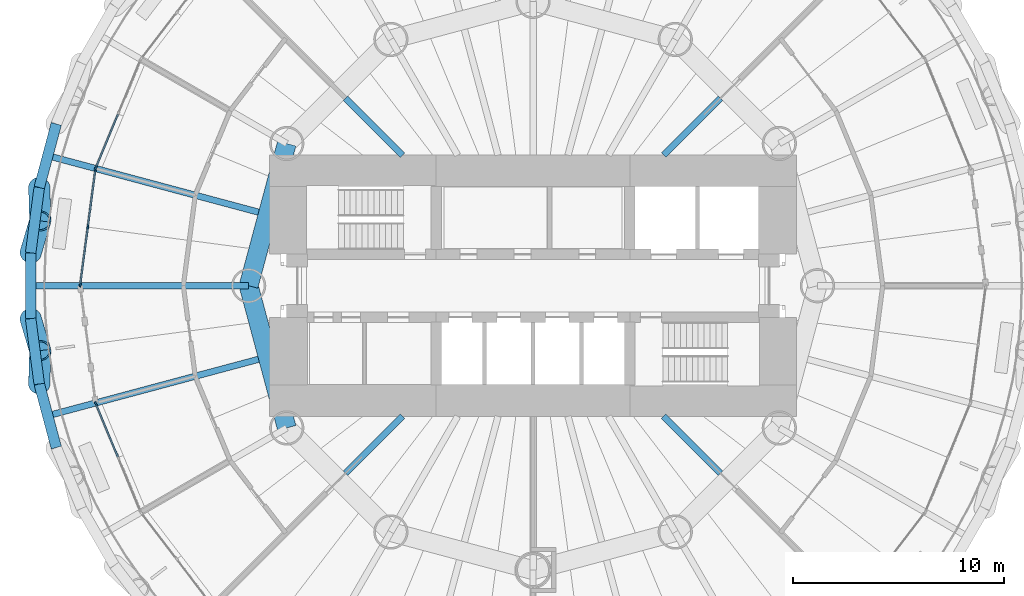
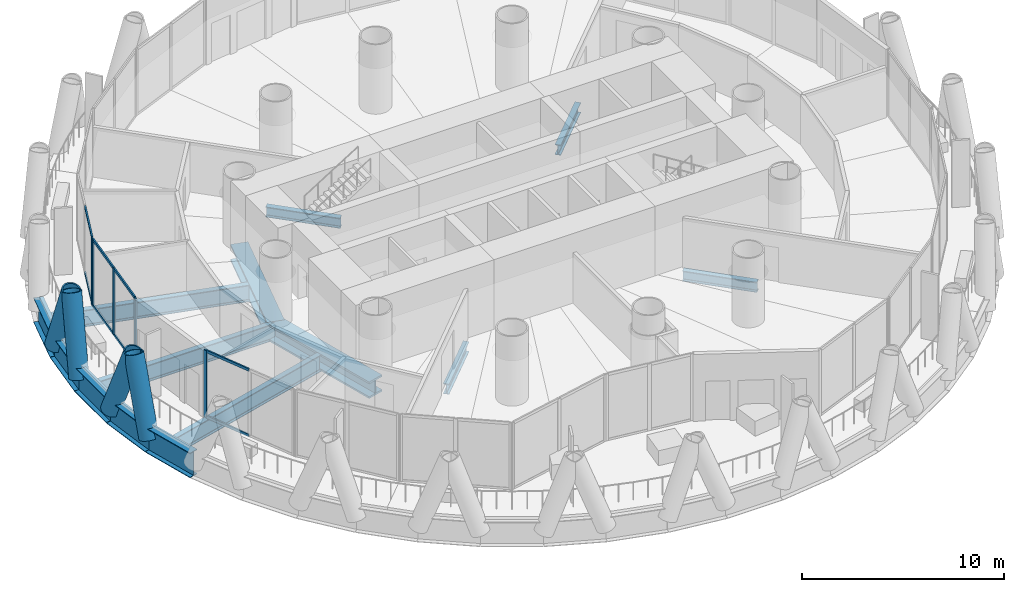
# One storey, part 3 of 15: 17 members, 14 beams, 3 elements without a shape of their own.
"""IFC4 building model written with IfcOpenShell, lengths in metres."""

import ifcopenshell
import ifcopenshell.guid

model = None  # the IFC model being written
_history = None  # IfcOwnerHistory: only IFC2X3 demands one
_inside = {}  # id of a spatial element -> (the spatial element, [elements in it])
_under = {}  # id of a project, library or spatial element -> (it, [spatial elements below it])
_declared = {}  # id of a project -> (the project, [libraries it declares])
_typed = {}  # id of a type object -> (the type object, [elements of that type])
_made_of = {}  # id of a material, layer set ... -> (it, [elements and type objects made of it])


def new_model(schema):
    """Start an empty IFC model of exactly this schema.

    Asked for "IFC4X3", IfcOpenShell would pick the latest addendum, in which some entities
    have other attributes; the version numbers below select the first issue.
    IFC2X3 requires an IfcOwnerHistory on every rooted entity: one is made here for all.
    """
    global model, _history
    if schema == "IFC4X3":
        model = ifcopenshell.file(schema_version=(4, 3, 0, 0))
    else:
        model = ifcopenshell.file(schema=schema)
    _inside.clear()
    _under.clear()
    _declared.clear()
    _typed.clear()
    _made_of.clear()
    _history = None
    if model.schema == "IFC2X3":
        org = make("IfcOrganization", Name="unknown")
        user = make(
            "IfcPersonAndOrganization",
            ThePerson=make("IfcPerson", FamilyName="unknown"),
            TheOrganization=org,
        )
        app = make(
            "IfcApplication",
            ApplicationDeveloper=org,
            Version="unknown",
            ApplicationFullName="unknown",
            ApplicationIdentifier="unknown",
        )
        _history = make(
            "IfcOwnerHistory",
            OwningUser=user,
            OwningApplication=app,
            ChangeAction="ADDED",
            CreationDate=0,
        )
    return model


def make(cls, **values):
    """One entity of the class cls with the attributes given. An attribute that is None is left unset."""
    return model.create_entity(
        cls, **{name: value for name, value in values.items() if value is not None}
    )


def rooted(cls, **values):
    """An entity with a GlobalId (a new one), such as an element, a storey or a relation."""
    return make(cls, GlobalId=ifcopenshell.guid.new(), OwnerHistory=_history, **values)


def si_unit(unit_type, name, prefix=None):
    """IfcSIUnit, for example si_unit("LENGTHUNIT", "METRE", prefix="MILLI")."""
    return make("IfcSIUnit", UnitType=unit_type, Prefix=prefix, Name=name)


def assignment(units):
    """IfcUnitAssignment: the units of a project."""
    return None if units is None else make("IfcUnitAssignment", Units=units)


def point(xyz):
    """IfcCartesianPoint."""
    return None if xyz is None else make("IfcCartesianPoint", Coordinates=xyz)


def direction(xyz):
    """IfcDirection."""
    return None if xyz is None else make("IfcDirection", DirectionRatios=xyz)


def frame(location, z_axis=None, x_axis=None):
    """IfcAxis2Placement3D, a coordinate frame: its origin and axes. An axis left out is left unset."""
    return make(
        "IfcAxis2Placement3D",
        Location=point(location),
        Axis=direction(z_axis),
        RefDirection=direction(x_axis),
    )


def frame_2d(location, x_axis=None):
    """IfcAxis2Placement2D, a coordinate frame in the plane: its origin and x axis."""
    return make(
        "IfcAxis2Placement2D", Location=point(location), RefDirection=direction(x_axis)
    )


def origin():
    """The frame at (0, 0, 0) with its axes left unset."""
    return frame((0.0, 0.0, 0.0))


def origin_2d():
    """The frame at (0, 0) in the plane with its x axis left unset."""
    return frame_2d((0.0, 0.0))


def place(relative_to, where):
    """IfcLocalPlacement: puts the frame where relative to a parent placement (None: the world)."""
    return make(
        "IfcLocalPlacement", PlacementRelTo=relative_to, RelativePlacement=where
    )


def context(
    kind, dimensions, precision=None, world=None, true_north=None, identifier=None
):
    """IfcGeometricRepresentationContext, for example the 3D "Model" context."""
    return make(
        "IfcGeometricRepresentationContext",
        ContextIdentifier=identifier,
        ContextType=kind,
        CoordinateSpaceDimension=dimensions,
        Precision=precision,
        WorldCoordinateSystem=world,
        TrueNorth=true_north,
    )


def subcontext(parent, identifier, kind, view, scale=None):
    """IfcGeometricRepresentationSubContext, for example "Body" below "Model"."""
    return make(
        "IfcGeometricRepresentationSubContext",
        ContextIdentifier=identifier,
        ContextType=kind,
        ParentContext=parent,
        TargetScale=scale,
        TargetView=view,
    )


def project(units=None, contexts=None):
    """IfcProject with its units and contexts."""
    return rooted(
        "IfcProject",
        Name="project",
        RepresentationContexts=contexts,
        UnitsInContext=assignment(units),
    )


def spatial(cls, under=None, at=None, **own):
    """A site, building, storey or space (cls), placed at a placement, below another one or the project."""
    s = rooted(cls, ObjectPlacement=at, **own)
    if under is not None:
        _under.setdefault(under.id(), (under, []))[1].append(s)
    return s


def profile(cls, at=None, kind="AREA", **sizes):
    """A parametric profile (cls). Its sizes go by their IFC names, for example OverallWidth=200.0."""
    return make(cls, ProfileType=kind, Position=at, **sizes)


def rectangle(**sizes):
    """IfcRectangleProfileDef."""
    return profile("IfcRectangleProfileDef", **sizes)


def hollow_circle(**sizes):
    """IfcCircleHollowProfileDef."""
    return profile("IfcCircleHollowProfileDef", **sizes)


def i_section(**sizes):
    """IfcIShapeProfileDef."""
    return profile("IfcIShapeProfileDef", **sizes)


def extrude(swept, where, along, depth):
    """IfcExtrudedAreaSolid: the profile swept, set in the frame where, extruded along a direction by depth."""
    return make(
        "IfcExtrudedAreaSolid",
        SweptArea=swept,
        Position=where,
        ExtrudedDirection=direction(along),
        Depth=depth,
    )


def shape(context_of_items, identifier, shape_type, items):
    """IfcShapeRepresentation: the items that make up one representation, for example the "Body"."""
    return make(
        "IfcShapeRepresentation",
        ContextOfItems=context_of_items,
        RepresentationIdentifier=identifier,
        RepresentationType=shape_type,
        Items=items,
    )


def material(Name=None, Category=None):
    """IfcMaterial."""
    return make("IfcMaterial", Name=Name, Category=Category)


def material_profile(
    of_material, cross_section, Name=None, Category=None, Priority=None
):
    """IfcMaterialProfile: a cross section and its material."""
    return make(
        "IfcMaterialProfile",
        Name=Name,
        Material=of_material,
        Profile=cross_section,
        Priority=Priority,
        Category=Category,
    )


def profile_set(profiles, Name=None, composite=None):
    """IfcMaterialProfileSet."""
    return make(
        "IfcMaterialProfileSet",
        Name=Name,
        MaterialProfiles=profiles,
        CompositeProfile=composite,
    )


def made_of(thing, what):
    """Note that an element or type object is made of a material, layer set ...; save() writes the relation."""
    if what is not None:
        _made_of.setdefault(what.id(), (what, []))[1].append(thing)
    return thing


def type_object(cls, material=None, **own):
    """A type object (cls), such as IfcWallType, which elements share."""
    return made_of(rooted(cls, **own), material)


def element(
    cls,
    number,
    at=None,
    inside=None,
    cuts=None,
    type_object=None,
    material=None,
    context=None,
    identifier="Body",
    shape_type=None,
    held_by="IfcProductDefinitionShape",
    body=None,
    shapes=None,
    **own,
):
    """One element of the class cls, such as IfcWall. Its Tag is "e" and its number.

    at: its placement. inside: the storey or other place that contains it. cuts: it is an
    opening in that element (IfcRelVoidsElement). A single representation is given by context,
    identifier, shape_type and body (its items); several are given by shapes. held_by: the class
    of the entity that holds the representations. save() writes the other relations.
    """
    e = rooted(cls, Tag="e%d" % number, ObjectPlacement=at, **own)
    if body is not None:
        shapes = [shape(context, identifier, shape_type, body)]
    if shapes is not None:
        e.Representation = make(held_by, Representations=shapes)
    if inside is not None:
        _inside.setdefault(inside.id(), (inside, []))[1].append(e)
    if cuts is not None:
        rooted(
            "IfcRelVoidsElement", RelatingBuildingElement=cuts, RelatedOpeningElement=e
        )
    if type_object is not None:
        _typed.setdefault(type_object.id(), (type_object, []))[1].append(e)
    return made_of(e, material)


def aggregate(whole, parts):
    """IfcRelAggregates: a whole, such as a stair, and the parts it consists of."""
    return rooted("IfcRelAggregates", RelatingObject=whole, RelatedObjects=parts)


def save(model, path):
    """Write the relations noted so far, then the file.

    IfcRelAggregates (storeys below a building ...), IfcRelContainedInSpatialStructure (elements
    in a storey), IfcRelDefinesByType, IfcRelAssociatesMaterial and IfcRelDeclares: one each for
    every whole, place, type object, material and project.
    """
    for whole, parts in _under.values():
        aggregate(whole, parts)
    for where, things in _inside.values():
        rooted(
            "IfcRelContainedInSpatialStructure",
            RelatedElements=things,
            RelatingStructure=where,
        )
    for kind, things in _typed.values():
        rooted("IfcRelDefinesByType", RelatedObjects=things, RelatingType=kind)
    for what, things in _made_of.values():
        rooted("IfcRelAssociatesMaterial", RelatedObjects=things, RelatingMaterial=what)
    for by, libraries in _declared.values():
        rooted("IfcRelDeclares", RelatingContext=by, RelatedDefinitions=libraries)
    model.write(path)


model = new_model("IFC4")

# Units and contexts
model_context = context("Model", 3, precision=1e-05, world=origin(), true_north=direction((0.0, 1.0)))
body_context = subcontext(model_context, "Body", "Model", "MODEL_VIEW")
ifc_project = project(units=[si_unit("LENGTHUNIT", "METRE"), si_unit("AREAUNIT", "SQUARE_METRE"), si_unit("VOLUMEUNIT", "CUBIC_METRE"), si_unit("PLANEANGLEUNIT", "RADIAN"), si_unit("MASSUNIT", "GRAM", prefix="KILO")], contexts=[model_context])

# Site, building, storey
site_placement = place(None, origin())
site = spatial("IfcSite", under=ifc_project, at=site_placement, CompositionType="ELEMENT")
building_placement = place(site_placement, origin())
building = spatial("IfcBuilding", under=site, at=building_placement, Name="Qaws Media Tower", CompositionType="ELEMENT")
storey_placement = place(building_placement, frame((0.0, 0.0, 198.199951171875)))
storey = spatial("IfcBuildingStorey", under=building, at=storey_placement, Name="L45", CompositionType="ELEMENT", Elevation=198.199951171875)

# Curtain wall, member
ifc_material_1 = material(Name="Aluminium and clear glass", Category="aluminium")
curtain_wall_type = type_object("IfcCurtainWallType", Name="Unitised curtain wall CW-C", PredefinedType="NOTDEFINED", material=ifc_material_1)
curtain_wall_1_placement = place(storey_placement, origin())
curtain_wall_1 = element("IfcCurtainWall", 1, at=curtain_wall_1_placement, inside=storey, type_object=curtain_wall_type, Name="CWC curtain wall L45-11", PredefinedType="NOTDEFINED")
ifc_material_2 = material(Name="Aluminium mullion", Category="aluminium")
ifc_material_profile_1 = material_profile(ifc_material_2, rectangle(XDim=0.080078125, YDim=0.199951171875, at=origin_2d()), Name="80x200")
ifc_profile_set_1 = profile_set([ifc_material_profile_1], Name="Aluminium mullion")
member_type_1 = type_object("IfcMemberType", Name="Curtain wall mullion 80x200", PredefinedType="MULLION", material=ifc_profile_set_1)
member_1_placement = place(storey_placement, frame((39.247802734375, 55.6015625, 0.0), z_axis=(0.0, 0.0, 1.0), x_axis=(0.923879550051, -0.382683390022, 0.0)))
member_1 = element("IfcMember", 2, at=member_1_placement, type_object=member_type_1, Name="CWC mullion 3", PredefinedType="MULLION", context=body_context, shape_type="SweptSolid", body=[
    extrude(rectangle(XDim=0.080078125, YDim=0.199951171875, at=origin_2d()), origin(), (0.0, 0.0, 1.0), 4.0400390625),
])

# Curtain wall, members
curtain_wall_2_placement = place(storey_placement, origin())
curtain_wall_2 = element("IfcCurtainWall", 3, at=curtain_wall_2_placement, inside=storey, type_object=curtain_wall_type, Name="CWC curtain wall L45-12", PredefinedType="NOTDEFINED")
member_2_placement = place(storey_placement, frame((39.227294921875, 55.52490234375, 0.0), z_axis=(0.0, 0.0, 1.0), x_axis=(0.991444853833, -0.130526249496, 0.0)))
member_2 = element("IfcMember", 4, at=member_2_placement, type_object=member_type_1, Name="CWC mullion 1", PredefinedType="MULLION", context=body_context, shape_type="SweptSolid", body=[
    extrude(rectangle(XDim=0.080078125, YDim=0.199951171875, at=origin_2d()), origin(), (0.0, 0.0, 1.0), 4.0400390625),
])
member_3_placement = place(storey_placement, frame((38.8662109375, 52.7822265625, 0.0), z_axis=(0.0, 0.0, 1.0), x_axis=(0.991444853833, -0.130526249496, 0.0)))
member_3 = element("IfcMember", 5, at=member_3_placement, type_object=member_type_1, Name="CWC mullion 2", PredefinedType="MULLION", context=body_context, shape_type="SweptSolid", body=[
    extrude(rectangle(XDim=0.080078125, YDim=0.199951171875, at=origin_2d()), origin(), (0.0, 0.0, 1.0), 4.0400390625),
])
member_4_placement = place(storey_placement, frame((38.505126953125, 50.03955078125, 0.0), z_axis=(0.0, 0.0, 1.0), x_axis=(0.991444853833, -0.130526249496, 0.0)))
member_4 = element("IfcMember", 6, at=member_4_placement, type_object=member_type_1, Name="CWC mullion 3", PredefinedType="MULLION", context=body_context, shape_type="SweptSolid", body=[
    extrude(rectangle(XDim=0.080078125, YDim=0.199951171875, at=origin_2d()), origin(), (0.0, 0.0, 1.0), 4.0400390625),
])

# Curtain wall, member
curtain_wall_3_placement = place(storey_placement, origin())
curtain_wall_3 = element("IfcCurtainWall", 7, at=curtain_wall_3_placement, inside=storey, type_object=curtain_wall_type, Name="CWC curtain wall L45-14", PredefinedType="NOTDEFINED")
member_5_placement = place(storey_placement, frame((39.247802734375, 44.3984375, 0.0), z_axis=(0.0, 0.0, 1.0), x_axis=(0.923879550051, 0.382683390022, 0.0)))
member_5 = element("IfcMember", 8, at=member_5_placement, type_object=member_type_1, Name="CWC mullion 1", PredefinedType="MULLION", context=body_context, shape_type="SweptSolid", body=[
    extrude(rectangle(XDim=0.080078125, YDim=0.199951171875, at=origin_2d()), origin(), (0.0, 0.0, 1.0), 4.0400390625),
])

# Member
ifc_material_3 = material(Name="Aluminium transom", Category="aluminium")
ifc_material_profile_2 = material_profile(ifc_material_3, rectangle(XDim=0.080078125, YDim=0.159912109375, at=origin_2d()), Name="80x160")
ifc_profile_set_2 = profile_set([ifc_material_profile_2], Name="Aluminium transom")
member_type_2 = type_object("IfcMemberType", Name="Curtain wall transom 80x160", PredefinedType="USERDEFINED", material=ifc_profile_set_2)
member_6_placement = place(storey_placement, frame((40.291259765625, 58.120361328125, 0.0400390625), z_axis=(-0.382691571386, -0.923876161176, 0.0), x_axis=(0.923876161176, -0.382691571386, 0.0)))
member_6 = element("IfcMember", 9, at=member_6_placement, type_object=member_type_2, Name="CWC transom 2.1", ObjectType="TRANSOM", PredefinedType="USERDEFINED", context=body_context, shape_type="SweptSolid", body=[
    extrude(rectangle(XDim=0.080078125, YDim=0.159912109375, at=origin_2d()), origin(), (0.0, 0.0, 1.0), 2.6865234375),
])

member_7_placement = place(storey_placement, frame((40.291259765625, 58.120361328125, 4.0), z_axis=(-0.382691571386, -0.923876161176, 0.0), x_axis=(0.923876161176, -0.382691571386, 0.0)))
member_7 = element("IfcMember", 10, at=member_7_placement, type_object=member_type_2, Name="CWC transom 2.2", ObjectType="TRANSOM", PredefinedType="USERDEFINED", context=body_context, shape_type="SweptSolid", body=[
    extrude(rectangle(XDim=0.080078125, YDim=0.159912109375, at=origin_2d()), origin(), (0.0, 0.0, 1.0), 2.6865234375),
])

aggregate(curtain_wall_1, [member_1, member_6, member_7])

member_8_placement = place(storey_placement, frame((39.22216796875, 55.4853515625, 0.0400390625), z_axis=(-0.130508584607, -0.991447179301, 0.0), x_axis=(0.991447179301, -0.130508584607, 0.0)))
member_8 = element("IfcMember", 11, at=member_8_placement, type_object=member_type_2, Name="CWC transom 1.1", ObjectType="TRANSOM", PredefinedType="USERDEFINED", context=body_context, shape_type="SweptSolid", body=[
    extrude(rectangle(XDim=0.080078125, YDim=0.159912109375, at=origin_2d()), origin(), (0.0, 0.0, 1.0), 2.686279296875),
])

member_9_placement = place(storey_placement, frame((39.22216796875, 55.4853515625, 4.0), z_axis=(-0.130508584607, -0.991447179301, 0.0), x_axis=(0.991447179301, -0.130508584607, 0.0)))
member_9 = element("IfcMember", 12, at=member_9_placement, type_object=member_type_2, Name="CWC transom 1.2", ObjectType="TRANSOM", PredefinedType="USERDEFINED", context=body_context, shape_type="SweptSolid", body=[
    extrude(rectangle(XDim=0.080078125, YDim=0.159912109375, at=origin_2d()), origin(), (0.0, 0.0, 1.0), 2.686279296875),
])

member_10_placement = place(storey_placement, frame((38.861083984375, 52.74267578125, 0.0400390625), z_axis=(-0.130508584607, -0.991447179301, 0.0), x_axis=(0.991447179301, -0.130508584607, 0.0)))
member_10 = element("IfcMember", 13, at=member_10_placement, type_object=member_type_2, Name="CWC transom 2.1", ObjectType="TRANSOM", PredefinedType="USERDEFINED", context=body_context, shape_type="SweptSolid", body=[
    extrude(rectangle(XDim=0.080078125, YDim=0.159912109375, at=origin_2d()), origin(), (0.0, 0.0, 1.0), 2.686279296875),
])

member_11_placement = place(storey_placement, frame((38.861083984375, 52.74267578125, 4.0), z_axis=(-0.130508584607, -0.991447179301, 0.0), x_axis=(0.991447179301, -0.130508584607, 0.0)))
member_11 = element("IfcMember", 14, at=member_11_placement, type_object=member_type_2, Name="CWC transom 2.2", ObjectType="TRANSOM", PredefinedType="USERDEFINED", context=body_context, shape_type="SweptSolid", body=[
    extrude(rectangle(XDim=0.080078125, YDim=0.159912109375, at=origin_2d()), origin(), (0.0, 0.0, 1.0), 2.686279296875),
])

aggregate(curtain_wall_2, [member_2, member_3, member_4, member_8, member_9, member_10, member_11])

member_12_placement = place(storey_placement, frame((39.26318359375, 44.361572265625, 0.0400390625), z_axis=(0.382691571386, -0.923876161176, 0.0), x_axis=(0.923876161176, 0.382691571386, 0.0)))
member_12 = element("IfcMember", 15, at=member_12_placement, type_object=member_type_2, Name="CWC transom 1.1", ObjectType="TRANSOM", PredefinedType="USERDEFINED", context=body_context, shape_type="SweptSolid", body=[
    extrude(rectangle(XDim=0.080078125, YDim=0.159912109375, at=origin_2d()), origin(), (0.0, 0.0, 1.0), 2.6865234375),
])

member_13_placement = place(storey_placement, frame((39.26318359375, 44.361572265625, 4.0), z_axis=(0.382691571386, -0.923876161176, 0.0), x_axis=(0.923876161176, 0.382691571386, 0.0)))
member_13 = element("IfcMember", 16, at=member_13_placement, type_object=member_type_2, Name="CWC transom 1.2", ObjectType="TRANSOM", PredefinedType="USERDEFINED", context=body_context, shape_type="SweptSolid", body=[
    extrude(rectangle(XDim=0.080078125, YDim=0.159912109375, at=origin_2d()), origin(), (0.0, 0.0, 1.0), 2.6865234375),
])

aggregate(curtain_wall_3, [member_5, member_12, member_13])

# Members
ifc_material_4 = material(Name="Steel S460", Category="steel")
ifc_material_profile_3 = material_profile(ifc_material_4, hollow_circle(Radius=0.508056640625, WallThickness=0.070068359375, at=origin_2d()), Name="CHS 1016x70")
ifc_profile_set_3 = profile_set([ifc_material_profile_3], Name="Steel S460")
member_type_3 = type_object("IfcMemberType", Name="Diagrid member CHS 1016x70", PredefinedType="USERDEFINED", material=ifc_profile_set_3)
for number, where, z_axis, x_axis, name in (
    (17, (36.559326171875, 54.66259765625, -0.909912109375), (0.009464676487, -0.352532001786, 0.935751894263), (0.999639794984, 0.026838038008, 0.0), "DG3 diagrid L45 A12"),
    (18, (36.151123046875, 48.436767578125, -0.909912109375), (0.100414403479, -0.338014682134, 0.935768679876), (0.958595556334, 0.284771064852, 0.0), "DG3 diagrid L45 A13"),
    (19, (36.151123046875, 51.563232421875, -0.909912109375), (0.100414403479, 0.338014682134, 0.935768679876), (-0.958595556334, 0.284771064852, 0.0), "DG3 diagrid L45 B13"),
    (20, (36.559326171875, 45.33740234375, -0.909912109375), (0.009464676487, 0.352532001786, 0.935751894263), (-0.999639794984, 0.026838038008, 0.0), "DG3 diagrid L45 B14"),
):
    element("IfcMember", number, at=place(storey_placement, frame(where, z_axis=z_axis, x_axis=x_axis)), inside=storey, type_object=member_type_3, Name=name, ObjectType="DIAGRID", PredefinedType="USERDEFINED", context=body_context, shape_type="SweptSolid", body=[
        extrude(hollow_circle(Radius=0.508056640625, WallThickness=0.070068359375, at=origin_2d()), origin(), (0.0, 0.0, 1.0), 4.48828125),
    ])

# Beams
ifc_material_5 = material(Name="Steel S460", Category="steel")
ifc_material_profile_4 = material_profile(ifc_material_5, i_section(OverallWidth=0.5, OverallDepth=1.5, WebThickness=0.02001953125, FlangeThickness=0.0400390625, at=origin_2d()), Name="PG 1500x500")
ifc_profile_set_4 = profile_set([ifc_material_profile_4], Name="Steel S460")
beam_type_1 = type_object("IfcBeamType", Name="Edge ring beam PG 1500x500", PredefinedType="BEAM", material=ifc_profile_set_4)
for number, where, z_axis, x_axis, name in (
    (21, (37.368408203125, 57.682373046875, -0.909912109375), (-0.258799841546, -0.965930971662, 0.0), (0.965930971662, -0.258799841546, 0.0), "RB4 edge ring beam L45-22"),
    (22, (36.559326171875, 54.66259765625, -0.909912109375), (-0.130577743855, -0.991438073109, 0.0), (0.991438073109, -0.130577743855, 0.0), "RB4 edge ring beam L45-23"),
):
    element("IfcBeam", number, at=place(storey_placement, frame(where, z_axis=z_axis, x_axis=x_axis)), inside=storey, type_object=beam_type_1, Name=name, PredefinedType="BEAM", context=body_context, shape_type="SweptSolid", body=[
        extrude(i_section(OverallWidth=0.5, OverallDepth=1.5, WebThickness=0.02001953125, FlangeThickness=0.0400390625, at=origin_2d()), origin(), (0.0, 0.0, 1.0), 3.126220703125),
    ])
beam_1_placement = place(storey_placement, frame((36.151123046875, 51.563232421875, -0.909912109375), z_axis=(0.0, -1.0, 0.0), x_axis=(1.0, 0.0, 0.0)))
element("IfcBeam", 23, at=beam_1_placement, inside=storey, type_object=beam_type_1, Name="RB4 edge ring beam L45-24", PredefinedType="BEAM", context=body_context, shape_type="SweptSolid", body=[
    extrude(i_section(OverallWidth=0.5, OverallDepth=1.5, WebThickness=0.02001953125, FlangeThickness=0.0400390625, at=origin_2d()), origin(), (0.0, 0.0, 1.0), 3.12646484375),
])
for number, where, z_axis, x_axis, name in (
    (24, (36.151123046875, 48.436767578125, -0.909912109375), (0.130577743855, -0.991438073109, 0.0), (0.991438073109, 0.130577743855, 0.0), "RB4 edge ring beam L45-25"),
    (25, (36.559326171875, 45.33740234375, -0.909912109375), (0.258799841546, -0.965930971662, 0.0), (0.965930971662, 0.258799841546, 0.0), "RB4 edge ring beam L45-26"),
):
    element("IfcBeam", number, at=place(storey_placement, frame(where, z_axis=z_axis, x_axis=x_axis)), inside=storey, type_object=beam_type_1, Name=name, PredefinedType="BEAM", context=body_context, shape_type="SweptSolid", body=[
        extrude(i_section(OverallWidth=0.5, OverallDepth=1.5, WebThickness=0.02001953125, FlangeThickness=0.0400390625, at=origin_2d()), origin(), (0.0, 0.0, 1.0), 3.126220703125),
    ])
ifc_material_6 = material(Name="Steel S460", Category="steel")
ifc_material_profile_5 = material_profile(ifc_material_6, i_section(OverallWidth=0.89990234375, OverallDepth=1.0, WebThickness=0.044921875, FlangeThickness=0.110107421875, at=origin_2d()), Name="PG 1000x900")
ifc_profile_set_5 = profile_set([ifc_material_profile_5], Name="Steel S460")
beam_type_2 = type_object("IfcBeamType", Name="Inner ring girder PG 1000x900", PredefinedType="BEAM", material=ifc_profile_set_5)
for number, where, z_axis, x_axis, name in (
    (26, (48.30859375, 56.75, -0.659912109375), (-0.258810593767, -0.965928090778, 0.0), (0.965928090778, -0.258810593767, 0.0), "B3 inner ring beam L45 I06-I07"),
    (27, (46.5, 50.0, -0.659912109375), (0.258810593767, -0.965928090778, 0.0), (0.965928090778, 0.258810593767, 0.0), "B3 inner ring beam L45 I07-I08"),
):
    element("IfcBeam", number, at=place(storey_placement, frame(where, z_axis=z_axis, x_axis=x_axis)), inside=storey, type_object=beam_type_2, Name=name, PredefinedType="BEAM", context=body_context, shape_type="SweptSolid", body=[
        extrude(i_section(OverallWidth=0.89990234375, OverallDepth=1.0, WebThickness=0.044921875, FlangeThickness=0.110107421875, at=origin_2d()), origin(), (0.0, 0.0, 1.0), 6.988037109375),
    ])
ifc_material_7 = material(Name="Steel S355", Category="steel")
ifc_material_profile_6 = material_profile(ifc_material_7, i_section(OverallWidth=0.302001953125, OverallDepth=1.008056640625, WebThickness=0.02099609375, FlangeThickness=0.0400390625, FilletRadius=0.030029296875, at=origin_2d()), Name="HE 1000 M")
ifc_profile_set_6 = profile_set([ifc_material_profile_6], Name="Steel S355")
beam_type_3 = type_object("IfcBeamType", Name="Radial beam HE 1000 M", PredefinedType="BEAM", material=ifc_profile_set_6)
beam_2_placement = place(storey_placement, frame((46.9697265625, 53.491455078125, -0.6640625), z_axis=(-0.965923644434, 0.25882718776, 0.0), x_axis=(-0.25882718776, -0.965923644434, 0.0)))
element("IfcBeam", 28, at=beam_2_placement, inside=storey, type_object=beam_type_3, Name="B1 radial beam L45 12", PredefinedType="BEAM", context=body_context, shape_type="SweptSolid", body=[
    extrude(i_section(OverallWidth=0.302001953125, OverallDepth=1.008056640625, WebThickness=0.02099609375, FlangeThickness=0.0400390625, FilletRadius=0.030029296875, at=origin_2d()), origin(), (0.0, 0.0, 1.0), 10.35888671875),
])
beam_3_placement = place(storey_placement, frame((46.5, 50.0, -0.6640625), z_axis=(-1.0, 0.0, 0.0), x_axis=(0.0, -1.0, 0.0)))
element("IfcBeam", 29, at=beam_3_placement, inside=storey, type_object=beam_type_3, Name="B1 radial beam L45 13", PredefinedType="BEAM", context=body_context, shape_type="SweptSolid", body=[
    extrude(i_section(OverallWidth=0.302001953125, OverallDepth=1.008056640625, WebThickness=0.02099609375, FlangeThickness=0.0400390625, FilletRadius=0.030029296875, at=origin_2d()), origin(), (0.0, 0.0, 1.0), 10.348876953125),
])
beam_4_placement = place(storey_placement, frame((46.9697265625, 46.508544921875, -0.6640625), z_axis=(-0.965923644434, -0.25882718776, 0.0), x_axis=(0.25882718776, -0.965923644434, 0.0)))
element("IfcBeam", 30, at=beam_4_placement, inside=storey, type_object=beam_type_3, Name="B1 radial beam L45 14", PredefinedType="BEAM", context=body_context, shape_type="SweptSolid", body=[
    extrude(i_section(OverallWidth=0.302001953125, OverallDepth=1.008056640625, WebThickness=0.02099609375, FlangeThickness=0.0400390625, FilletRadius=0.030029296875, at=origin_2d()), origin(), (0.0, 0.0, 1.0), 10.35888671875),
])
ifc_material_8 = material(Name="Steel S355", Category="steel")
ifc_material_profile_7 = material_profile(ifc_material_8, i_section(OverallWidth=0.304931640625, OverallDepth=0.6201171875, WebThickness=0.02099609375, FlangeThickness=0.0400390625, FilletRadius=0.027099609375, at=origin_2d()), Name="HE 600 M")
ifc_profile_set_7 = profile_set([ifc_material_profile_7], Name="Steel S355")
beam_type_4 = type_object("IfcBeamType", Name="Radial beam HE 600 M, core side", PredefinedType="BEAM", material=ifc_profile_set_7)
for number, where, z_axis, x_axis, name in (
    (31, (66.199951171875, 56.199951171875, -0.469970703125), (0.707106781187, 0.707106781187, 0.0), (-0.707106781187, 0.707106781187, 0.0), "B2 radial beam L45 04"),
    (32, (53.800048828125, 56.199951171875, -0.469970703125), (-0.707106781187, 0.707106781187, 0.0), (-0.707106781187, -0.707106781187, 0.0), "B2 radial beam L45 10"),
    (33, (53.800048828125, 43.800048828125, -0.469970703125), (-0.707106781187, -0.707106781187, 0.0), (0.707106781187, -0.707106781187, 0.0), "B2 radial beam L45 16"),
    (34, (66.199951171875, 43.800048828125, -0.469970703125), (0.707106781187, -0.707106781187, 0.0), (0.707106781187, 0.707106781187, 0.0), "B2 radial beam L45 22"),
):
    element("IfcBeam", number, at=place(storey_placement, frame(where, z_axis=z_axis, x_axis=x_axis)), inside=storey, type_object=beam_type_4, Name=name, PredefinedType="BEAM", context=body_context, shape_type="SweptSolid", body=[
        extrude(i_section(OverallWidth=0.304931640625, OverallDepth=0.6201171875, WebThickness=0.02099609375, FlangeThickness=0.0400390625, FilletRadius=0.027099609375, at=origin_2d()), origin(), (0.0, 0.0, 1.0), 3.822021484375),
    ])

save(model, "model.ifc")
